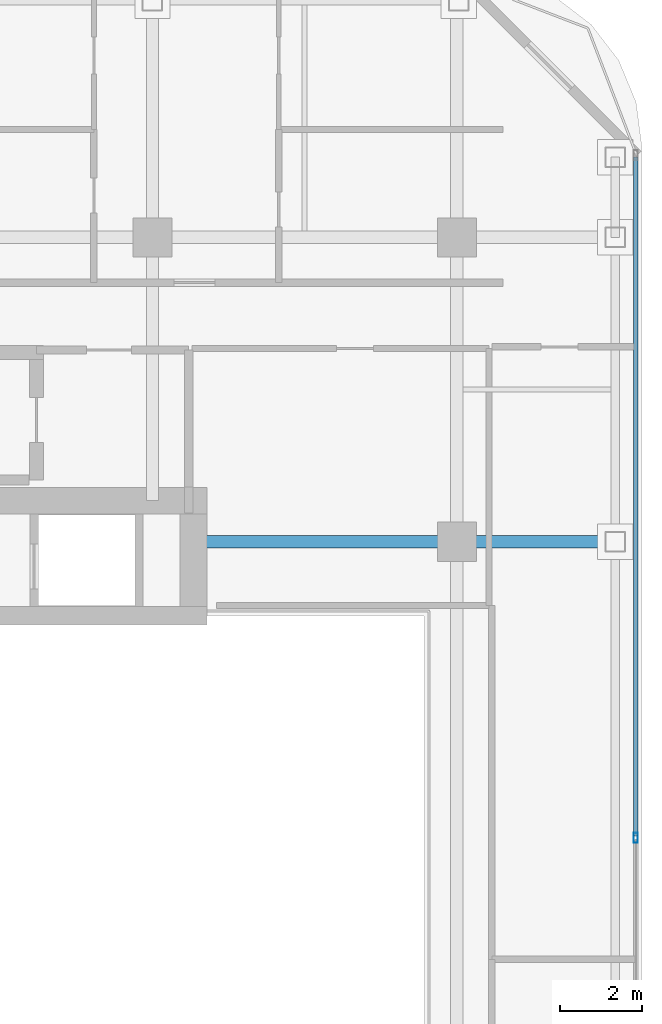
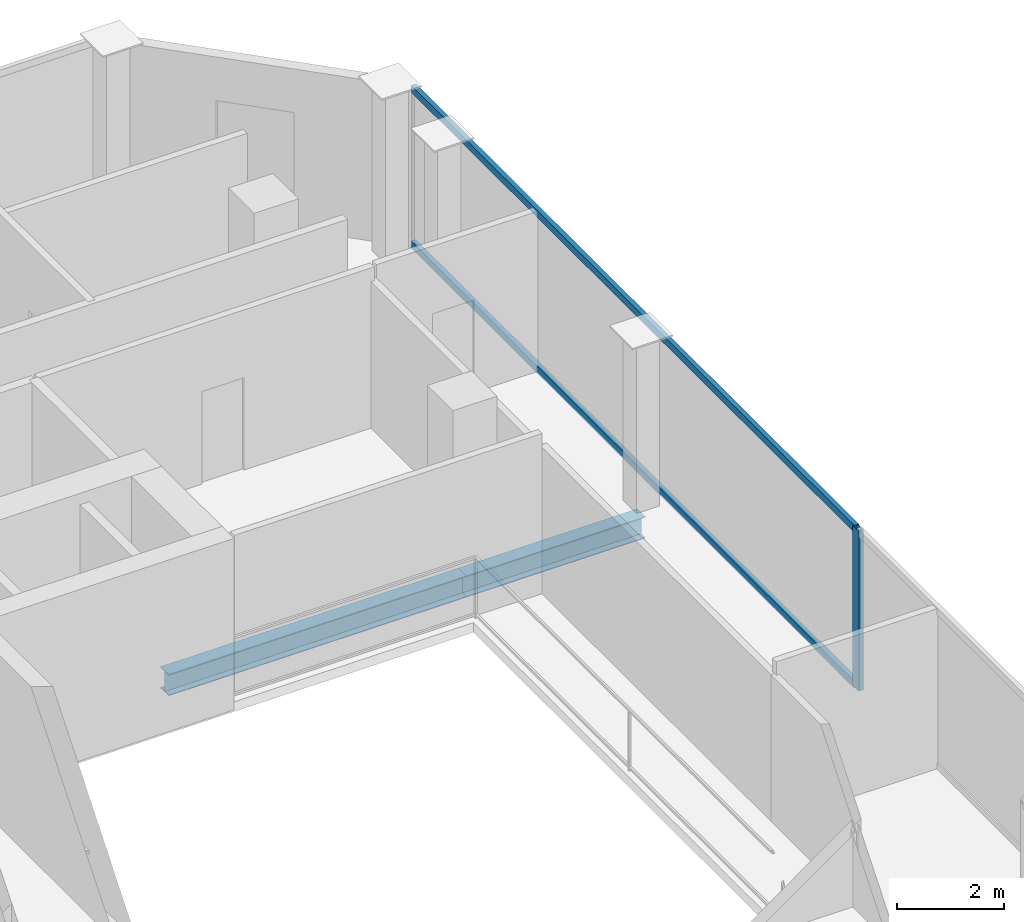
# One storey, part 9 of 22: 3 members, 2 beams, 1 element without a shape of its own.
"""IFC4 building model written with IfcOpenShell, lengths in metres."""

import ifcopenshell
import ifcopenshell.guid

model = None  # the IFC model being written
_history = None  # IfcOwnerHistory: only IFC2X3 demands one
_inside = {}  # id of a spatial element -> (the spatial element, [elements in it])
_under = {}  # id of a project, library or spatial element -> (it, [spatial elements below it])
_declared = {}  # id of a project -> (the project, [libraries it declares])
_typed = {}  # id of a type object -> (the type object, [elements of that type])
_made_of = {}  # id of a material, layer set ... -> (it, [elements and type objects made of it])


def new_model(schema):
    """Start an empty IFC model of exactly this schema.

    Asked for "IFC4X3", IfcOpenShell would pick the latest addendum, in which some entities
    have other attributes; the version numbers below select the first issue.
    IFC2X3 requires an IfcOwnerHistory on every rooted entity: one is made here for all.
    """
    global model, _history
    if schema == "IFC4X3":
        model = ifcopenshell.file(schema_version=(4, 3, 0, 0))
    else:
        model = ifcopenshell.file(schema=schema)
    _inside.clear()
    _under.clear()
    _declared.clear()
    _typed.clear()
    _made_of.clear()
    _history = None
    if model.schema == "IFC2X3":
        org = make("IfcOrganization", Name="unknown")
        user = make(
            "IfcPersonAndOrganization",
            ThePerson=make("IfcPerson", FamilyName="unknown"),
            TheOrganization=org,
        )
        app = make(
            "IfcApplication",
            ApplicationDeveloper=org,
            Version="unknown",
            ApplicationFullName="unknown",
            ApplicationIdentifier="unknown",
        )
        _history = make(
            "IfcOwnerHistory",
            OwningUser=user,
            OwningApplication=app,
            ChangeAction="ADDED",
            CreationDate=0,
        )
    return model


def make(cls, **values):
    """One entity of the class cls with the attributes given. An attribute that is None is left unset."""
    return model.create_entity(
        cls, **{name: value for name, value in values.items() if value is not None}
    )


def rooted(cls, **values):
    """An entity with a GlobalId (a new one), such as an element, a storey or a relation."""
    return make(cls, GlobalId=ifcopenshell.guid.new(), OwnerHistory=_history, **values)


def si_unit(unit_type, name, prefix=None):
    """IfcSIUnit, for example si_unit("LENGTHUNIT", "METRE", prefix="MILLI")."""
    return make("IfcSIUnit", UnitType=unit_type, Prefix=prefix, Name=name)


def assignment(units):
    """IfcUnitAssignment: the units of a project."""
    return None if units is None else make("IfcUnitAssignment", Units=units)


def point(xyz):
    """IfcCartesianPoint."""
    return None if xyz is None else make("IfcCartesianPoint", Coordinates=xyz)


def direction(xyz):
    """IfcDirection."""
    return None if xyz is None else make("IfcDirection", DirectionRatios=xyz)


def frame(location, z_axis=None, x_axis=None):
    """IfcAxis2Placement3D, a coordinate frame: its origin and axes. An axis left out is left unset."""
    return make(
        "IfcAxis2Placement3D",
        Location=point(location),
        Axis=direction(z_axis),
        RefDirection=direction(x_axis),
    )


def frame_2d(location, x_axis=None):
    """IfcAxis2Placement2D, a coordinate frame in the plane: its origin and x axis."""
    return make(
        "IfcAxis2Placement2D", Location=point(location), RefDirection=direction(x_axis)
    )


def origin():
    """The frame at (0, 0, 0) with its axes left unset."""
    return frame((0.0, 0.0, 0.0))


def origin_2d():
    """The frame at (0, 0) in the plane with its x axis left unset."""
    return frame_2d((0.0, 0.0))


def place(relative_to, where):
    """IfcLocalPlacement: puts the frame where relative to a parent placement (None: the world)."""
    return make(
        "IfcLocalPlacement", PlacementRelTo=relative_to, RelativePlacement=where
    )


def context(
    kind, dimensions, precision=None, world=None, true_north=None, identifier=None
):
    """IfcGeometricRepresentationContext, for example the 3D "Model" context."""
    return make(
        "IfcGeometricRepresentationContext",
        ContextIdentifier=identifier,
        ContextType=kind,
        CoordinateSpaceDimension=dimensions,
        Precision=precision,
        WorldCoordinateSystem=world,
        TrueNorth=true_north,
    )


def subcontext(parent, identifier, kind, view, scale=None):
    """IfcGeometricRepresentationSubContext, for example "Body" below "Model"."""
    return make(
        "IfcGeometricRepresentationSubContext",
        ContextIdentifier=identifier,
        ContextType=kind,
        ParentContext=parent,
        TargetScale=scale,
        TargetView=view,
    )


def project(units=None, contexts=None):
    """IfcProject with its units and contexts."""
    return rooted(
        "IfcProject",
        Name="project",
        RepresentationContexts=contexts,
        UnitsInContext=assignment(units),
    )


def spatial(cls, under=None, at=None, **own):
    """A site, building, storey or space (cls), placed at a placement, below another one or the project."""
    s = rooted(cls, ObjectPlacement=at, **own)
    if under is not None:
        _under.setdefault(under.id(), (under, []))[1].append(s)
    return s


def profile(cls, at=None, kind="AREA", **sizes):
    """A parametric profile (cls). Its sizes go by their IFC names, for example OverallWidth=200.0."""
    return make(cls, ProfileType=kind, Position=at, **sizes)


def hollow_rectangle(**sizes):
    """IfcRectangleHollowProfileDef."""
    return profile("IfcRectangleHollowProfileDef", **sizes)


def i_section(**sizes):
    """IfcIShapeProfileDef."""
    return profile("IfcIShapeProfileDef", **sizes)


def extrude(swept, where, along, depth):
    """IfcExtrudedAreaSolid: the profile swept, set in the frame where, extruded along a direction by depth."""
    return make(
        "IfcExtrudedAreaSolid",
        SweptArea=swept,
        Position=where,
        ExtrudedDirection=direction(along),
        Depth=depth,
    )


def shape(context_of_items, identifier, shape_type, items):
    """IfcShapeRepresentation: the items that make up one representation, for example the "Body"."""
    return make(
        "IfcShapeRepresentation",
        ContextOfItems=context_of_items,
        RepresentationIdentifier=identifier,
        RepresentationType=shape_type,
        Items=items,
    )


def material(Name=None, Category=None):
    """IfcMaterial."""
    return make("IfcMaterial", Name=Name, Category=Category)


def layer(
    of_material, thickness, ventilated=None, Name=None, Category=None, Priority=None
):
    """IfcMaterialLayer: one layer of a wall or slab, of a material (None: an air gap)."""
    return make(
        "IfcMaterialLayer",
        Material=of_material,
        LayerThickness=thickness,
        IsVentilated=ventilated,
        Name=Name,
        Category=Category,
        Priority=Priority,
    )


def layer_set(layers, Name=None):
    """IfcMaterialLayerSet."""
    return make("IfcMaterialLayerSet", MaterialLayers=layers, LayerSetName=Name)


def material_profile(
    of_material, cross_section, Name=None, Category=None, Priority=None
):
    """IfcMaterialProfile: a cross section and its material."""
    return make(
        "IfcMaterialProfile",
        Name=Name,
        Material=of_material,
        Profile=cross_section,
        Priority=Priority,
        Category=Category,
    )


def profile_set(profiles, Name=None, composite=None):
    """IfcMaterialProfileSet."""
    return make(
        "IfcMaterialProfileSet",
        Name=Name,
        MaterialProfiles=profiles,
        CompositeProfile=composite,
    )


def made_of(thing, what):
    """Note that an element or type object is made of a material, layer set ...; save() writes the relation."""
    if what is not None:
        _made_of.setdefault(what.id(), (what, []))[1].append(thing)
    return thing


def type_object(cls, material=None, **own):
    """A type object (cls), such as IfcWallType, which elements share."""
    return made_of(rooted(cls, **own), material)


def element(
    cls,
    number,
    at=None,
    inside=None,
    cuts=None,
    type_object=None,
    material=None,
    context=None,
    identifier="Body",
    shape_type=None,
    held_by="IfcProductDefinitionShape",
    body=None,
    shapes=None,
    **own,
):
    """One element of the class cls, such as IfcWall. Its Tag is "e" and its number.

    at: its placement. inside: the storey or other place that contains it. cuts: it is an
    opening in that element (IfcRelVoidsElement). A single representation is given by context,
    identifier, shape_type and body (its items); several are given by shapes. held_by: the class
    of the entity that holds the representations. save() writes the other relations.
    """
    e = rooted(cls, Tag="e%d" % number, ObjectPlacement=at, **own)
    if body is not None:
        shapes = [shape(context, identifier, shape_type, body)]
    if shapes is not None:
        e.Representation = make(held_by, Representations=shapes)
    if inside is not None:
        _inside.setdefault(inside.id(), (inside, []))[1].append(e)
    if cuts is not None:
        rooted(
            "IfcRelVoidsElement", RelatingBuildingElement=cuts, RelatedOpeningElement=e
        )
    if type_object is not None:
        _typed.setdefault(type_object.id(), (type_object, []))[1].append(e)
    return made_of(e, material)


def aggregate(whole, parts):
    """IfcRelAggregates: a whole, such as a stair, and the parts it consists of."""
    return rooted("IfcRelAggregates", RelatingObject=whole, RelatedObjects=parts)


def save(model, path):
    """Write the relations noted so far, then the file.

    IfcRelAggregates (storeys below a building ...), IfcRelContainedInSpatialStructure (elements
    in a storey), IfcRelDefinesByType, IfcRelAssociatesMaterial and IfcRelDeclares: one each for
    every whole, place, type object, material and project.
    """
    for whole, parts in _under.values():
        aggregate(whole, parts)
    for where, things in _inside.values():
        rooted(
            "IfcRelContainedInSpatialStructure",
            RelatedElements=things,
            RelatingStructure=where,
        )
    for kind, things in _typed.values():
        rooted("IfcRelDefinesByType", RelatedObjects=things, RelatingType=kind)
    for what, things in _made_of.values():
        rooted("IfcRelAssociatesMaterial", RelatedObjects=things, RelatingMaterial=what)
    for by, libraries in _declared.values():
        rooted("IfcRelDeclares", RelatingContext=by, RelatedDefinitions=libraries)
    model.write(path)


model = new_model("IFC4")

# Units and contexts
model_context = context("Model", 3, precision=1e-05, world=origin(), true_north=direction((0.0, 1.0)))
body_context = subcontext(model_context, "Body", "Model", "MODEL_VIEW")
ifc_project = project(units=[si_unit("LENGTHUNIT", "METRE"), si_unit("AREAUNIT", "SQUARE_METRE"), si_unit("VOLUMEUNIT", "CUBIC_METRE"), si_unit("PLANEANGLEUNIT", "RADIAN"), si_unit("MASSUNIT", "GRAM", prefix="KILO")], contexts=[model_context])

# Site, building, storey
site_placement = place(None, origin())
site = spatial("IfcSite", under=ifc_project, at=site_placement, CompositionType="ELEMENT")
building_placement = place(site_placement, origin())
building = spatial("IfcBuilding", under=site, at=building_placement, Name="Khorvyn Point Tower", CompositionType="ELEMENT")
storey_placement = place(building_placement, frame((0.0, 0.0, 309.300048828125)))
storey = spatial("IfcBuildingStorey", under=building, at=storey_placement, Name="L76", CompositionType="ELEMENT", Elevation=309.300048828125)

# Curtain wall, members
ifc_material_1 = material(Name="Anodised aluminium 6063-T6 and laminated Low-E glass", Category="aluminium")
ifc_layer = layer(ifc_material_1, 0.18994140625)
ifc_layer_set = layer_set([ifc_layer], Name="Stick-Built High-Wind Curtain Wall CW-SYS-04")
curtain_wall_type = type_object("IfcCurtainWallType", Name="Stick-Built High-Wind Curtain Wall CW-SYS-04", PredefinedType="NOTDEFINED", material=ifc_layer_set)
curtain_wall_placement = place(storey_placement, origin())
curtain_wall = element("IfcCurtainWall", 1, at=curtain_wall_placement, inside=storey, type_object=curtain_wall_type, Name="Curtain Wall", PredefinedType="NOTDEFINED")
ifc_material_2 = material(Name="Anodised aluminium 6063-T6", Category="aluminium")
ifc_material_profile_1 = material_profile(ifc_material_2, hollow_rectangle(XDim=0.10009765625, YDim=0.239990234375, WallThickness=0.0048828125, at=origin_2d()))
ifc_profile_set_1 = profile_set([ifc_material_profile_1], Name="Anodised aluminium 6063-T6 ALU-MUL-100x240")
member_type_1 = type_object("IfcMemberType", Name="Anodised Aluminium 6063-T6 Mullion ALU-MUL-100x240", PredefinedType="MULLION", material=ifc_profile_set_1)
member_1_placement = place(storey_placement, frame((19.14990234375, 0.199951171875, 0.0), z_axis=(0.0, 0.0, 1.0), x_axis=(1.0, 0.0, 0.0)))
member_1 = element("IfcMember", 2, at=member_1_placement, type_object=member_type_1, Name="Transom", PredefinedType="MULLION", context=body_context, shape_type="SweptSolid", body=[
    extrude(hollow_rectangle(XDim=0.10009765625, YDim=0.239990234375, WallThickness=0.0048828125, at=origin_2d()), origin(), (0.0, 0.0, 1.0), 3.639892578125),
])
ifc_material_profile_2 = material_profile(ifc_material_2, hollow_rectangle(XDim=0.10009765625, YDim=0.159912109375, WallThickness=0.00439453125, at=origin_2d()))
ifc_profile_set_2 = profile_set([ifc_material_profile_2], Name="Anodised aluminium 6063-T6 ALU-TRN-100x160")
member_type_2 = type_object("IfcMemberType", Name="Anodised Aluminium 6063-T6 Transom ALU-TRN-100x160", PredefinedType="USERDEFINED", material=ifc_profile_set_2)
member_2_placement = place(storey_placement, frame((19.14990234375, 16.75, 0.050048828125), z_axis=(0.0, -1.0, 0.0), x_axis=(1.0, 0.0, 0.0)))
member_2 = element("IfcMember", 3, at=member_2_placement, type_object=member_type_2, Name="Transom", ObjectType="TRANSOM", PredefinedType="USERDEFINED", context=body_context, shape_type="SweptSolid", body=[
    extrude(hollow_rectangle(XDim=0.10009765625, YDim=0.159912109375, WallThickness=0.00439453125, at=origin_2d()), origin(), (0.0, 0.0, 1.0), 16.5),
])
member_3_placement = place(storey_placement, frame((19.14990234375, 16.75, 3.58984375), z_axis=(0.0, -1.0, 0.0), x_axis=(1.0, 0.0, 0.0)))
member_3 = element("IfcMember", 4, at=member_3_placement, type_object=member_type_2, Name="Transom", ObjectType="TRANSOM", PredefinedType="USERDEFINED", context=body_context, shape_type="SweptSolid", body=[
    extrude(hollow_rectangle(XDim=0.10009765625, YDim=0.159912109375, WallThickness=0.00439453125, at=origin_2d()), origin(), (0.0, 0.0, 1.0), 16.5),
])
aggregate(curtain_wall, [member_1, member_2, member_3])

# Beams
ifc_material_3 = material(Name="Steel S355", Category="steel")
ifc_material_profile_3 = material_profile(ifc_material_3, i_section(OverallWidth=0.300048828125, OverallDepth=0.488037109375, WebThickness=0.010986328125, FlangeThickness=0.01806640625, at=origin_2d()))
ifc_profile_set_3 = profile_set([ifc_material_profile_3], Name="Steel S355 H488x300x11x18")
beam_type = type_object("IfcBeamType", Name="Steel S355 Spandrel H488x300x11x18", PredefinedType="SPANDREL", material=ifc_profile_set_3)
beam_1_placement = place(storey_placement, frame((8.39990234375, 7.39990234375, -0.464111328125), z_axis=(1.0, 0.0, 0.0), x_axis=(0.0, 1.0, 0.0)))
element("IfcBeam", 5, at=beam_1_placement, inside=storey, type_object=beam_type, Name="Beam", PredefinedType="SPANDREL", context=body_context, shape_type="SweptSolid", body=[
    extrude(i_section(OverallWidth=0.300048828125, OverallDepth=0.488037109375, WebThickness=0.010986328125, FlangeThickness=0.01806640625, at=origin_2d()), origin(), (0.0, 0.0, 1.0), 6.400146484375),
])
beam_2_placement = place(storey_placement, frame((14.800048828125, 7.39990234375, -0.464111328125), z_axis=(1.0, 0.0, 0.0), x_axis=(0.0, 1.0, 0.0)))
element("IfcBeam", 6, at=beam_2_placement, inside=storey, type_object=beam_type, Name="Beam", PredefinedType="SPANDREL", context=body_context, shape_type="SweptSolid", body=[
    extrude(i_section(OverallWidth=0.300048828125, OverallDepth=0.488037109375, WebThickness=0.010986328125, FlangeThickness=0.01806640625, at=origin_2d()), origin(), (0.0, 0.0, 1.0), 3.849853515625),
])

save(model, "model.ifc")
